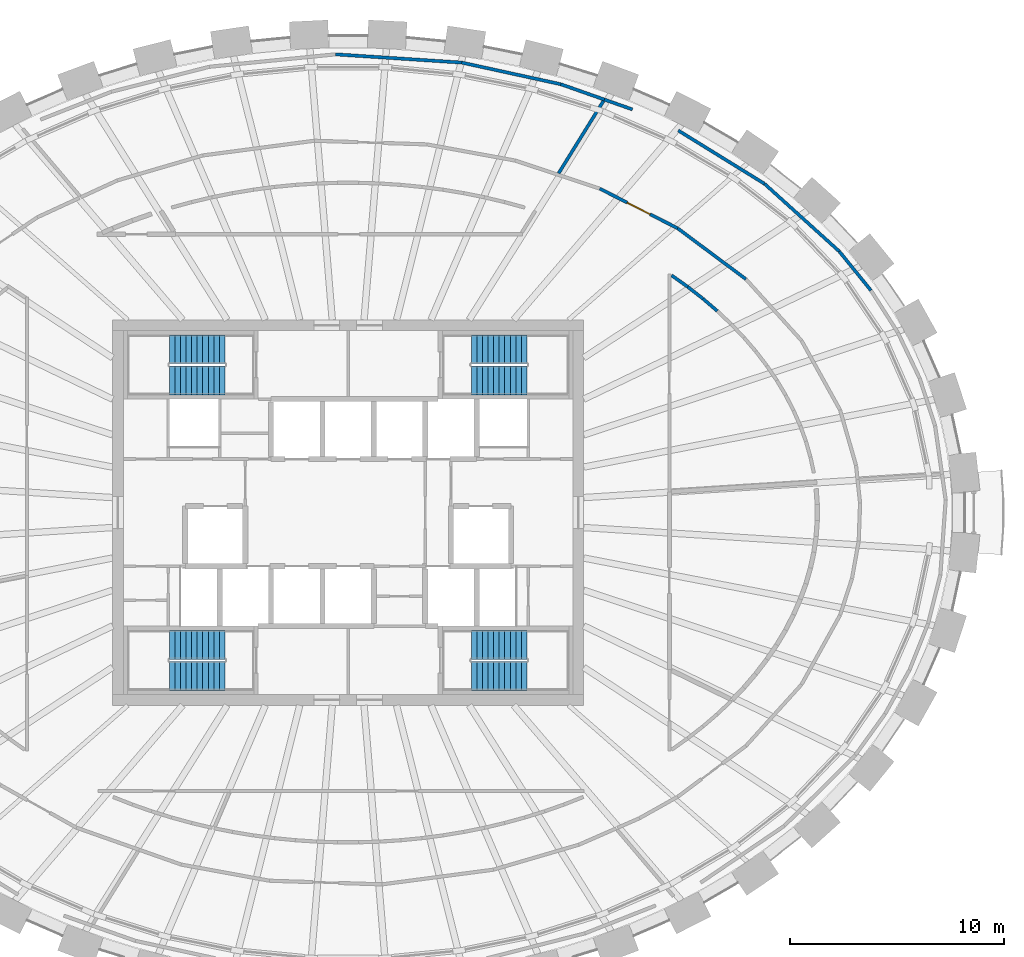
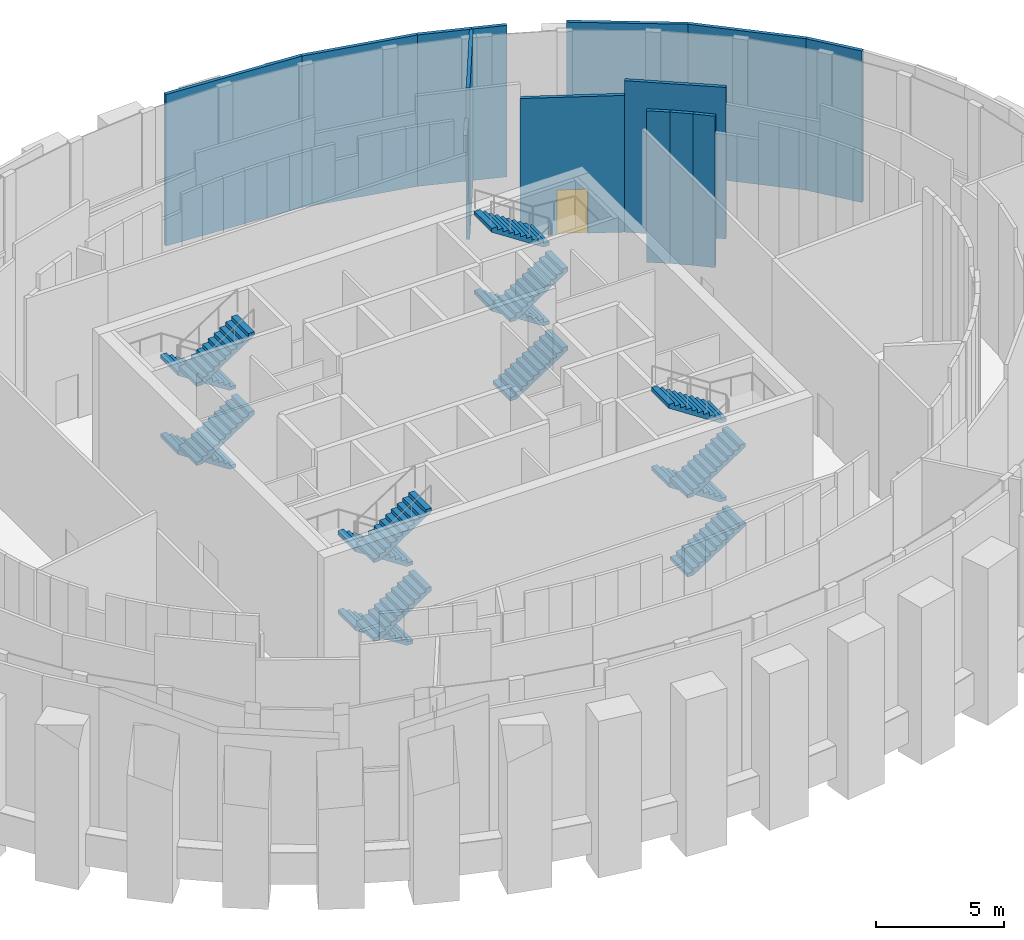
# One storey, part 14 of 16: 16 stair flights, 13 walls, 1 door, 1 opening, 4 elements without a shape of their own.
"""IFC4 building model written with IfcOpenShell, lengths in metres."""

from ifc_helpers import new_model, si_unit, direction, frame, frame_2d, origin, place, context, subcontext, project, spatial, polyline, rectangle, outline, extrude, source, transform, mapped, material, layer, layer_set, type_object, element, fill, aggregate, save


model = new_model("IFC4")

# Units and contexts
model_context = context("Model", 3, precision=1e-05, world=origin(), true_north=direction((0.0, 1.0)))
body_context = subcontext(model_context, "Body", "Model", "MODEL_VIEW")
ifc_project = project(units=[si_unit("LENGTHUNIT", "METRE"), si_unit("AREAUNIT", "SQUARE_METRE"), si_unit("VOLUMEUNIT", "CUBIC_METRE"), si_unit("PLANEANGLEUNIT", "RADIAN"), si_unit("MASSUNIT", "GRAM", prefix="KILO")], contexts=[model_context])

# Site, building, storey
site_placement = place(None, origin())
site = spatial("IfcSite", under=ifc_project, at=site_placement, CompositionType="ELEMENT")
building_placement = place(site_placement, origin())
building = spatial("IfcBuilding", under=site, at=building_placement, Name="Embergate Tower", CompositionType="ELEMENT")
storey_placement = place(building_placement, frame((0.0, 0.0, 332.5)))
storey = spatial("IfcBuildingStorey", under=building, at=storey_placement, Name="L78", CompositionType="ELEMENT", Elevation=332.5)

# Walls
ifc_material_1 = material(Name="Plasterboard on steel stud", Category="steel")
ifc_layer = layer(ifc_material_1, 0.14990234375)
ifc_layer_set = layer_set([ifc_layer], Name="Plasterboard on steel stud")
wall_type = type_object("IfcWallType", Name="Partition wall 150 board", PredefinedType="PARTITIONING", material=ifc_layer_set)
shared_shape_1 = source(origin(), body_context, "Body", "SweptSolid", [
    extrude(rectangle(XDim=2.35107421875, YDim=0.14990234375, at=frame_2d((1.175537109375, 0.0))), origin(), (0.0, 0.0, 1.0), 7.199951171875),
])
wall_1_placement = place(storey_placement, frame((22.928955078125, 12.197998046875, 0.0), z_axis=(0.0, 0.0, 1.0), x_axis=(0.629923873592, -0.776656882722, 0.0)))
element("IfcWall", 1, at=wall_1_placement, inside=storey, type_object=wall_type, Name="Partition 196", PredefinedType="PARTITIONING", context=body_context, shape_type="MappedRepresentation", body=[
    mapped(shared_shape_1, transform((0.0, 0.0, 0.0))),
])
shared_shape_2 = source(origin(), body_context, "Body", "SweptSolid", [
    extrude(rectangle(XDim=4.706787109375, YDim=0.14990234375, at=frame_2d((2.353515625, 0.0))), origin(), (0.0, 0.0, 1.0), 7.199951171875),
])
wall_2_placement = place(storey_placement, frame((19.43701171875, 15.35400390625, 0.0), z_axis=(0.0, 0.0, 1.0), x_axis=(0.741892036038, -0.670519356069, 0.0)))
element("IfcWall", 2, at=wall_2_placement, inside=storey, type_object=wall_type, Name="Partition 172", PredefinedType="PARTITIONING", context=body_context, shape_type="MappedRepresentation", body=[
    mapped(shared_shape_2, transform((0.0, 0.0, 0.0))),
])
shared_shape_3 = source(origin(), body_context, "Body", "SweptSolid", [
    extrude(rectangle(XDim=0.880615234375, YDim=0.14990234375, at=frame_2d((0.4404296875, 0.0))), origin(), (0.0, 0.0, 1.0), 7.199951171875),
])
wall_3_placement = place(storey_placement, frame((17.23388671875, 9.412109375, 0.0), z_axis=(0.0, 0.0, 1.0), x_axis=(-0.758453739474, 0.651726879205, 0.0)))
element("IfcWall", 3, at=wall_3_placement, inside=storey, type_object=wall_type, Name="Partition 163", PredefinedType="PARTITIONING", context=body_context, shape_type="MappedRepresentation", body=[
    mapped(shared_shape_3, transform((0.0, 0.0, 0.0))),
])
shared_shape_4 = source(origin(), body_context, "Body", "SweptSolid", [
    extrude(rectangle(XDim=0.90185546875, YDim=0.14990234375, at=frame_2d((0.450927734375, 0.0))), origin(), (0.0, 0.0, 1.0), 7.199951171875),
])
wall_4_placement = place(storey_placement, frame((16.56591796875, 9.986083984375, 0.0), z_axis=(0.0, 0.0, 1.0), x_axis=(-0.788286961013, 0.615307782412, 0.0)))
element("IfcWall", 4, at=wall_4_placement, inside=storey, type_object=wall_type, Name="Partition 161", PredefinedType="PARTITIONING", context=body_context, shape_type="MappedRepresentation", body=[
    mapped(shared_shape_4, transform((0.0, 0.0, 0.0))),
])
shared_shape_5 = source(origin(), body_context, "Body", "SweptSolid", [
    extrude(rectangle(XDim=0.92431640625, YDim=0.14990234375, at=frame_2d((0.462158203125, 0.0))), origin(), (0.0, 0.0, 1.0), 7.199951171875),
])
wall_5_placement = place(storey_placement, frame((15.85498046875, 10.541015625, 0.0), z_axis=(0.0, 0.0, 1.0), x_axis=(-0.815567455773, 0.578662012823, 0.0)))
element("IfcWall", 5, at=wall_5_placement, inside=storey, type_object=wall_type, Name="Partition 159", PredefinedType="PARTITIONING", context=body_context, shape_type="MappedRepresentation", body=[
    mapped(shared_shape_5, transform((0.0, 0.0, 0.0))),
])
shared_shape_6 = source(origin(), body_context, "Body", "SweptSolid", [
    extrude(rectangle(XDim=1.392822265625, YDim=0.14990234375, at=frame_2d((0.6962890625, 0.0))), origin(), (0.0, 0.0, 1.0), 7.199951171875),
])
wall_6_placement = place(storey_placement, frame((11.9619140625, 19.283935546875, 0.0), z_axis=(0.0, 0.0, 1.0), x_axis=(0.943403823948, -0.331646234654, 0.0)))
element("IfcWall", 6, at=wall_6_placement, inside=storey, type_object=wall_type, Name="Partition 145", PredefinedType="PARTITIONING", context=body_context, shape_type="MappedRepresentation", body=[
    mapped(shared_shape_6, transform((0.0, 0.0, 0.0))),
])
shared_shape_7 = source(origin(), body_context, "Body", "SweptSolid", [
    extrude(rectangle(XDim=2.154052734375, YDim=0.14990234375, at=frame_2d((1.0771484375, 0.0))), origin(), (0.0, 0.0, 1.0), 7.199951171875),
])
wall_7_placement = place(storey_placement, frame((9.929931640625, 19.9990234375, 0.0), z_axis=(0.0, 0.0, 1.0), x_axis=(0.943293332831, -0.331960371484, 0.0)))
element("IfcWall", 7, at=wall_7_placement, inside=storey, type_object=wall_type, Name="Partition 139", PredefinedType="PARTITIONING", context=body_context, shape_type="MappedRepresentation", body=[
    mapped(shared_shape_7, transform((0.0, 0.0, 0.0))),
])
shared_shape_8 = source(origin(), body_context, "Body", "SweptSolid", [
    extrude(rectangle(XDim=5.909423828125, YDim=0.14990234375, at=frame_2d((2.95458984375, 0.0))), origin(), (0.0, 0.0, 1.0), 7.199951171875),
])
wall_8_placement = place(storey_placement, frame((-0.592041015625, 21.39501953125, 0.0), z_axis=(0.0, 0.0, 1.0), x_axis=(0.997875437456, -0.065150681662, 0.0)))
element("IfcWall", 8, at=wall_8_placement, inside=storey, type_object=wall_type, Name="Partition 108", PredefinedType="PARTITIONING", context=body_context, shape_type="MappedRepresentation", body=[
    mapped(shared_shape_8, transform((0.0, 0.0, 0.0))),
])
shared_shape_9 = source(origin(), body_context, "Body", "SweptSolid", [
    extrude(rectangle(XDim=4.734130859375, YDim=0.14990234375, at=frame_2d((2.3671875, 0.0))), origin(), (0.0, 0.0, 1.0), 7.199951171875),
])
wall_9_placement = place(storey_placement, frame((5.304931640625, 21.010009765625, 0.0), z_axis=(0.0, 0.0, 1.0), x_axis=(0.976932303251, -0.213549232884, 0.0)))
element("IfcWall", 9, at=wall_9_placement, inside=storey, type_object=wall_type, Name="Partition 124", PredefinedType="PARTITIONING", context=body_context, shape_type="MappedRepresentation", body=[
    mapped(shared_shape_9, transform((0.0, 0.0, 0.0))),
])
shared_shape_10 = source(origin(), body_context, "Body", "SweptSolid", [
    extrude(rectangle(XDim=3.9775390625, YDim=0.14990234375, at=frame_2d((1.98876953125, 0.0))), origin(), (0.0, 0.0, 1.0), 7.199951171875),
])
wall_10_placement = place(storey_placement, frame((9.824951171875, 15.840087890625, 0.0), z_axis=(0.0, 0.0, 1.0), x_axis=(0.527237571035, 0.849717920071, 0.0)))
element("IfcWall", 10, at=wall_10_placement, inside=storey, type_object=wall_type, Name="Partition 138", PredefinedType="PARTITIONING", context=body_context, shape_type="MappedRepresentation", body=[
    mapped(shared_shape_10, transform((0.0, 0.0, 0.0))),
])

# Wall, opening, door
shared_shape_11 = source(origin(), body_context, "Body", "SweptSolid", [
    extrude(rectangle(XDim=4.08642578125, YDim=0.14990234375, at=frame_2d((2.043212890625, 0.0))), origin(), (0.0, 0.0, 1.0), 6.5),
])
wall_11_placement = place(storey_placement, frame((11.742919921875, 15.1279296875, 0.0), z_axis=(0.0, 0.0, 1.0), x_axis=(0.891032201746, -0.453940101171, 0.0)))
wall_11 = element("IfcWall", 11, at=wall_11_placement, inside=storey, type_object=wall_type, Name="Partition 144", PredefinedType="PARTITIONING", context=body_context, shape_type="MappedRepresentation", body=[
    mapped(shared_shape_11, transform((0.0, 0.0, 0.0))),
])
shared_shape_12 = source(origin(), body_context, "Body", "SweptSolid", [
    extrude(rectangle(XDim=1.199951171875, YDim=2.10009765625, at=frame_2d((0.60009765625, 1.050048828125))), frame((0.0, 0.0849609375, 0.0), z_axis=(0.0, -1.0, 0.0), x_axis=(1.0, 0.0, 0.0)), (0.0, 0.0, 1.0), 0.169921875),
])
opening_placement = place(wall_11_placement, frame((1.443115234375, 0.0, 0.0)))
opening = element("IfcOpeningElement", 12, at=opening_placement, cuts=wall_11, Name="Opening DS-258", PredefinedType="OPENING", context=body_context, shape_type="MappedRepresentation", body=[
    mapped(shared_shape_12, transform((0.0, 0.0, 0.0))),
])
ifc_material_2 = material(Name="Timber door leaf, steel frame", Category="steel")
door_type = type_object("IfcDoorType", Name="Plant door 1200x2100", OperationType="SINGLE_SWING_LEFT", PredefinedType="DOOR", material=ifc_material_2)
shared_shape_13 = source(origin(), body_context, "Body", "SweptSolid", [
    extrude(rectangle(XDim=1.199951171875, YDim=2.10009765625, at=frame_2d((0.60009765625, 1.050048828125))), frame((0.0, 0.02490234375, 0.0), z_axis=(0.0, -1.0, 0.0), x_axis=(1.0, 0.0, 0.0)), (0.0, 0.0, 1.0), 0.050048828125),
])
door_placement = place(opening_placement, origin())
door = element("IfcDoor", 13, at=door_placement, inside=storey, type_object=door_type, Name="Door to North-east viewing lounge", OperationType="SINGLE_SWING_LEFT", OverallHeight=2.10009765625, OverallWidth=1.199951171875, PredefinedType="DOOR", context=body_context, shape_type="MappedRepresentation", body=[
    mapped(shared_shape_13, transform((0.0, 0.0, 0.0))),
])
fill(opening, door)

# Walls
shared_shape_14 = source(origin(), body_context, "Body", "SweptSolid", [
    extrude(rectangle(XDim=3.97607421875, YDim=0.14990234375, at=frame_2d((1.988037109375, 0.0))), origin(), (0.0, 0.0, 1.0), 7.199951171875),
])
wall_12_placement = place(storey_placement, frame((15.384033203125, 13.27294921875, 0.0), z_axis=(0.0, 0.0, 1.0), x_axis=(0.802014322301, -0.597304802277, 0.0)))
element("IfcWall", 14, at=wall_12_placement, inside=storey, type_object=wall_type, Name="Partition 156", PredefinedType="PARTITIONING", context=body_context, shape_type="MappedRepresentation", body=[
    mapped(shared_shape_14, transform((0.0, 0.0, 0.0))),
])
shared_shape_15 = source(origin(), body_context, "Body", "SweptSolid", [
    extrude(rectangle(XDim=4.7294921875, YDim=0.14990234375, at=frame_2d((2.36474609375, 0.0))), origin(), (0.0, 0.0, 1.0), 7.199951171875),
])
wall_13_placement = place(storey_placement, frame((15.4130859375, 17.839111328125, 0.0), z_axis=(0.0, 0.0, 1.0), x_axis=(0.850822433328, -0.525453315668, 0.0)))
element("IfcWall", 15, at=wall_13_placement, inside=storey, type_object=wall_type, Name="Partition 157", PredefinedType="PARTITIONING", context=body_context, shape_type="MappedRepresentation", body=[
    mapped(shared_shape_15, transform((0.0, 0.0, 0.0))),
])

# Stair, stair flights
ifc_material_3 = material(Name="Exit stair")
stair_type = type_object("IfcStairType", Name="Exit stair", PredefinedType="HALF_TURN_STAIR", material=ifc_material_3)
stair_1_placement = place(storey_placement, origin())
stair_1 = element("IfcStair", 16, at=stair_1_placement, inside=storey, type_object=stair_type, Name="L78 Exit stair 1", PredefinedType="HALF_TURN_STAIR")
ifc_material_4 = material(Name="Concrete C40", Category="concrete")
stair_flight_type = type_object("IfcStairFlightType", Name="Stair flight reinforced concrete", PredefinedType="STRAIGHT", material=ifc_material_4)
shared_shape_16 = source(origin(), body_context, "Body", "SweptSolid", [
    extrude(outline(polyline([(0.0, 0.0), (0.0, 0.17041015625), (0.260009765625, 0.17041015625), (0.260009765625, 0.3408203125), (0.52001953125, 0.3408203125), (0.52001953125, 0.511474609375), (0.780029296875, 0.511474609375), (0.780029296875, 0.681884765625), (1.0400390625, 0.681884765625), (1.0400390625, 0.852294921875), (1.300048828125, 0.852294921875), (1.300048828125, 1.022705078125), (1.56005859375, 1.022705078125), (1.56005859375, 1.193115234375), (1.820068359375, 1.193115234375), (1.820068359375, 1.363525390625), (2.080078125, 1.363525390625), (2.080078125, 1.5341796875), (2.340087890625, 1.5341796875), (2.340087890625, 1.70458984375), (2.60009765625, 1.70458984375), (2.60009765625, 1.875), (2.60009765625, 1.525390625), (0.2734375, 0.0), (0.0, 0.0)])), frame((0.0, 0.675048828125, 0.0), z_axis=(0.0, -1.0, 0.0), x_axis=(1.0, 0.0, 0.0)), (0.0, 0.0, 1.0), 1.35009765625),
])
stair_flight_1_placement = place(storey_placement, frame((-5.75, 7.625, 0.0), z_axis=(0.0, 0.0, 1.0), x_axis=(-1.0, 0.0, 0.0)))
stair_flight_1 = element("IfcStairFlight", 17, at=stair_flight_1_placement, type_object=stair_flight_type, Name="ST1 flight 1", NumberOfRisers=11, NumberOfTreads=10, PredefinedType="STRAIGHT", RiserHeight=0.170454545, TreadLength=0.26, context=body_context, shape_type="MappedRepresentation", body=[
    mapped(shared_shape_16, transform((0.0, 0.0, 0.0))),
])
stair_flight_2_placement = place(storey_placement, frame((-8.35009765625, 6.175048828125, 1.875), z_axis=(0.0, 0.0, 1.0), x_axis=(1.0, 0.0, 0.0)))
stair_flight_2 = element("IfcStairFlight", 18, at=stair_flight_2_placement, type_object=stair_flight_type, Name="ST1 flight 2", NumberOfRisers=11, NumberOfTreads=10, PredefinedType="STRAIGHT", RiserHeight=0.170454545, TreadLength=0.26, context=body_context, shape_type="MappedRepresentation", body=[
    mapped(shared_shape_16, transform((0.0, 0.0, 0.0))),
])
stair_flight_3_placement = place(storey_placement, frame((-5.75, 7.625, 3.75), z_axis=(0.0, 0.0, 1.0), x_axis=(-1.0, 0.0, 0.0)))
stair_flight_3 = element("IfcStairFlight", 19, at=stair_flight_3_placement, type_object=stair_flight_type, Name="ST1 flight 3", NumberOfRisers=11, NumberOfTreads=10, PredefinedType="STRAIGHT", RiserHeight=0.170454545, TreadLength=0.26, context=body_context, shape_type="MappedRepresentation", body=[
    mapped(shared_shape_16, transform((0.0, 0.0, 0.0))),
])
stair_flight_4_placement = place(storey_placement, frame((-8.35009765625, 6.175048828125, 5.625), z_axis=(0.0, 0.0, 1.0), x_axis=(1.0, 0.0, 0.0)))
stair_flight_4 = element("IfcStairFlight", 20, at=stair_flight_4_placement, type_object=stair_flight_type, Name="ST1 flight 4", NumberOfRisers=11, NumberOfTreads=10, PredefinedType="STRAIGHT", RiserHeight=0.170454545, TreadLength=0.26, context=body_context, shape_type="MappedRepresentation", body=[
    mapped(shared_shape_16, transform((0.0, 0.0, 0.0))),
])
aggregate(stair_1, [stair_flight_1, stair_flight_2, stair_flight_3, stair_flight_4])

stair_2_placement = place(storey_placement, origin())
stair_2 = element("IfcStair", 21, at=stair_2_placement, inside=storey, type_object=stair_type, Name="L78 Exit stair 2", PredefinedType="HALF_TURN_STAIR")
stair_flight_5_placement = place(storey_placement, frame((5.75, 6.175048828125, 0.0), z_axis=(0.0, 0.0, 1.0), x_axis=(1.0, 0.0, 0.0)))
stair_flight_5 = element("IfcStairFlight", 22, at=stair_flight_5_placement, type_object=stair_flight_type, Name="ST2 flight 1", NumberOfRisers=11, NumberOfTreads=10, PredefinedType="STRAIGHT", RiserHeight=0.170454545, TreadLength=0.26, context=body_context, shape_type="MappedRepresentation", body=[
    mapped(shared_shape_16, transform((0.0, 0.0, 0.0))),
])
stair_flight_6_placement = place(storey_placement, frame((8.35009765625, 7.625, 1.875), z_axis=(0.0, 0.0, 1.0), x_axis=(-1.0, 0.0, 0.0)))
stair_flight_6 = element("IfcStairFlight", 23, at=stair_flight_6_placement, type_object=stair_flight_type, Name="ST2 flight 2", NumberOfRisers=11, NumberOfTreads=10, PredefinedType="STRAIGHT", RiserHeight=0.170454545, TreadLength=0.26, context=body_context, shape_type="MappedRepresentation", body=[
    mapped(shared_shape_16, transform((0.0, 0.0, 0.0))),
])
stair_flight_7_placement = place(storey_placement, frame((5.75, 6.175048828125, 3.75), z_axis=(0.0, 0.0, 1.0), x_axis=(1.0, 0.0, 0.0)))
stair_flight_7 = element("IfcStairFlight", 24, at=stair_flight_7_placement, type_object=stair_flight_type, Name="ST2 flight 3", NumberOfRisers=11, NumberOfTreads=10, PredefinedType="STRAIGHT", RiserHeight=0.170454545, TreadLength=0.26, context=body_context, shape_type="MappedRepresentation", body=[
    mapped(shared_shape_16, transform((0.0, 0.0, 0.0))),
])
stair_flight_8_placement = place(storey_placement, frame((8.35009765625, 7.625, 5.625), z_axis=(0.0, 0.0, 1.0), x_axis=(-1.0, 0.0, 0.0)))
stair_flight_8 = element("IfcStairFlight", 25, at=stair_flight_8_placement, type_object=stair_flight_type, Name="ST2 flight 4", NumberOfRisers=11, NumberOfTreads=10, PredefinedType="STRAIGHT", RiserHeight=0.170454545, TreadLength=0.26, context=body_context, shape_type="MappedRepresentation", body=[
    mapped(shared_shape_16, transform((0.0, 0.0, 0.0))),
])
aggregate(stair_2, [stair_flight_5, stair_flight_6, stair_flight_7, stair_flight_8])

stair_3_placement = place(storey_placement, origin())
stair_3 = element("IfcStair", 26, at=stair_3_placement, inside=storey, type_object=stair_type, Name="L78 Exit stair 3", PredefinedType="HALF_TURN_STAIR")
stair_flight_9_placement = place(storey_placement, frame((-5.75, -6.175048828125, 0.0), z_axis=(0.0, 0.0, 1.0), x_axis=(-1.0, 0.0, 0.0)))
stair_flight_9 = element("IfcStairFlight", 27, at=stair_flight_9_placement, type_object=stair_flight_type, Name="ST3 flight 1", NumberOfRisers=11, NumberOfTreads=10, PredefinedType="STRAIGHT", RiserHeight=0.170454545, TreadLength=0.26, context=body_context, shape_type="MappedRepresentation", body=[
    mapped(shared_shape_16, transform((0.0, 0.0, 0.0))),
])
stair_flight_10_placement = place(storey_placement, frame((-8.35009765625, -7.625, 1.875), z_axis=(0.0, 0.0, 1.0), x_axis=(1.0, 0.0, 0.0)))
stair_flight_10 = element("IfcStairFlight", 28, at=stair_flight_10_placement, type_object=stair_flight_type, Name="ST3 flight 2", NumberOfRisers=11, NumberOfTreads=10, PredefinedType="STRAIGHT", RiserHeight=0.170454545, TreadLength=0.26, context=body_context, shape_type="MappedRepresentation", body=[
    mapped(shared_shape_16, transform((0.0, 0.0, 0.0))),
])
stair_flight_11_placement = place(storey_placement, frame((-5.75, -6.175048828125, 3.75), z_axis=(0.0, 0.0, 1.0), x_axis=(-1.0, 0.0, 0.0)))
stair_flight_11 = element("IfcStairFlight", 29, at=stair_flight_11_placement, type_object=stair_flight_type, Name="ST3 flight 3", NumberOfRisers=11, NumberOfTreads=10, PredefinedType="STRAIGHT", RiserHeight=0.170454545, TreadLength=0.26, context=body_context, shape_type="MappedRepresentation", body=[
    mapped(shared_shape_16, transform((0.0, 0.0, 0.0))),
])
stair_flight_12_placement = place(storey_placement, frame((-8.35009765625, -7.625, 5.625), z_axis=(0.0, 0.0, 1.0), x_axis=(1.0, 0.0, 0.0)))
stair_flight_12 = element("IfcStairFlight", 30, at=stair_flight_12_placement, type_object=stair_flight_type, Name="ST3 flight 4", NumberOfRisers=11, NumberOfTreads=10, PredefinedType="STRAIGHT", RiserHeight=0.170454545, TreadLength=0.26, context=body_context, shape_type="MappedRepresentation", body=[
    mapped(shared_shape_16, transform((0.0, 0.0, 0.0))),
])
aggregate(stair_3, [stair_flight_9, stair_flight_10, stair_flight_11, stair_flight_12])

stair_4_placement = place(storey_placement, origin())
stair_4 = element("IfcStair", 31, at=stair_4_placement, inside=storey, type_object=stair_type, Name="L78 Exit stair 4", PredefinedType="HALF_TURN_STAIR")
stair_flight_13_placement = place(storey_placement, frame((5.75, -7.625, 0.0), z_axis=(0.0, 0.0, 1.0), x_axis=(1.0, 0.0, 0.0)))
stair_flight_13 = element("IfcStairFlight", 32, at=stair_flight_13_placement, type_object=stair_flight_type, Name="ST4 flight 1", NumberOfRisers=11, NumberOfTreads=10, PredefinedType="STRAIGHT", RiserHeight=0.170454545, TreadLength=0.26, context=body_context, shape_type="MappedRepresentation", body=[
    mapped(shared_shape_16, transform((0.0, 0.0, 0.0))),
])
stair_flight_14_placement = place(storey_placement, frame((8.35009765625, -6.175048828125, 1.875), z_axis=(0.0, 0.0, 1.0), x_axis=(-1.0, 0.0, 0.0)))
stair_flight_14 = element("IfcStairFlight", 33, at=stair_flight_14_placement, type_object=stair_flight_type, Name="ST4 flight 2", NumberOfRisers=11, NumberOfTreads=10, PredefinedType="STRAIGHT", RiserHeight=0.170454545, TreadLength=0.26, context=body_context, shape_type="MappedRepresentation", body=[
    mapped(shared_shape_16, transform((0.0, 0.0, 0.0))),
])
stair_flight_15_placement = place(storey_placement, frame((5.75, -7.625, 3.75), z_axis=(0.0, 0.0, 1.0), x_axis=(1.0, 0.0, 0.0)))
stair_flight_15 = element("IfcStairFlight", 34, at=stair_flight_15_placement, type_object=stair_flight_type, Name="ST4 flight 3", NumberOfRisers=11, NumberOfTreads=10, PredefinedType="STRAIGHT", RiserHeight=0.170454545, TreadLength=0.26, context=body_context, shape_type="MappedRepresentation", body=[
    mapped(shared_shape_16, transform((0.0, 0.0, 0.0))),
])
stair_flight_16_placement = place(storey_placement, frame((8.35009765625, -6.175048828125, 5.625), z_axis=(0.0, 0.0, 1.0), x_axis=(-1.0, 0.0, 0.0)))
stair_flight_16 = element("IfcStairFlight", 35, at=stair_flight_16_placement, type_object=stair_flight_type, Name="ST4 flight 4", NumberOfRisers=11, NumberOfTreads=10, PredefinedType="STRAIGHT", RiserHeight=0.170454545, TreadLength=0.26, context=body_context, shape_type="MappedRepresentation", body=[
    mapped(shared_shape_16, transform((0.0, 0.0, 0.0))),
])
aggregate(stair_4, [stair_flight_13, stair_flight_14, stair_flight_15, stair_flight_16])

save(model, "model.ifc")
